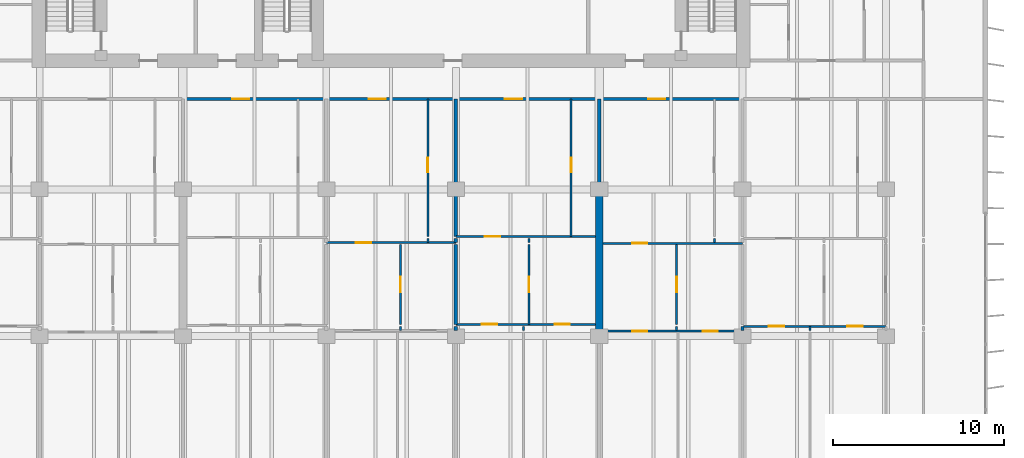
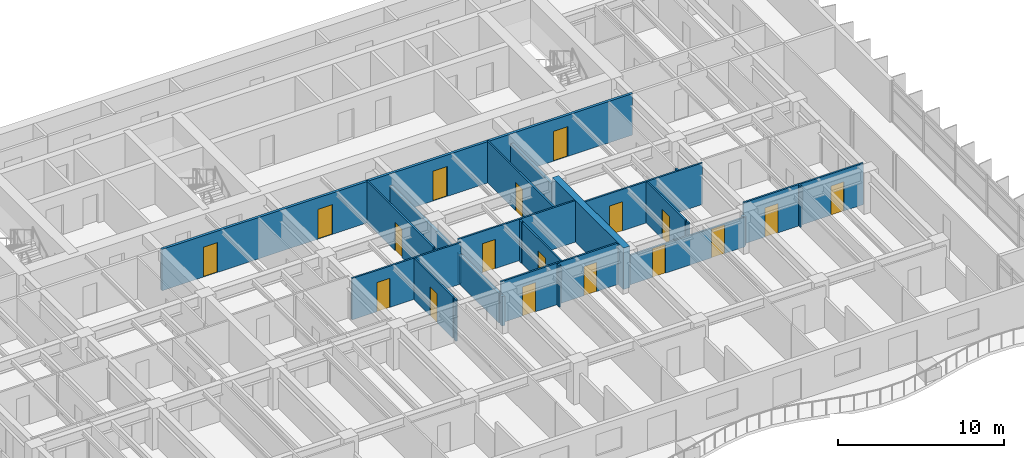
# One storey, part 9 of 18: 26 walls, 18 doors, 18 openings.
"""IFC4 building model written with IfcOpenShell, lengths in metres."""

from ifc_helpers import new_model, si_unit, direction, frame, frame_2d, origin, place, context, subcontext, project, spatial, rectangle, extrude, material, layer, layer_set, type_object, element, fill, save


model = new_model("IFC4")

# Units and contexts
model_context = context("Model", 3, precision=1e-05, world=origin(), true_north=direction((0.0, 1.0)))
body_context = subcontext(model_context, "Body", "Model", "MODEL_VIEW")
ifc_project = project(units=[si_unit("LENGTHUNIT", "METRE"), si_unit("AREAUNIT", "SQUARE_METRE"), si_unit("VOLUMEUNIT", "CUBIC_METRE"), si_unit("PLANEANGLEUNIT", "RADIAN"), si_unit("MASSUNIT", "GRAM", prefix="KILO")], contexts=[model_context])

# Site, building, storey
site_placement = place(None, origin())
site = spatial("IfcSite", under=ifc_project, at=site_placement, CompositionType="ELEMENT")
building_placement = place(site_placement, origin())
building = spatial("IfcBuilding", under=site, at=building_placement, Name="Caelmar Bay Residences", CompositionType="ELEMENT")
storey_placement = place(building_placement, frame((0.0, 0.0, 129.0)))
storey = spatial("IfcBuildingStorey", under=building, at=storey_placement, Name="L35", CompositionType="ELEMENT", Elevation=129.0)

# Wall
ifc_material_1 = material(Name="Concrete f'c 55 MPa (8,000 psi)", Category="concrete")
ifc_layer_1 = layer(ifc_material_1, 0.449951171875)
ifc_layer_set_1 = layer_set([ifc_layer_1], Name="Concrete f'c 55 MPa (8,000 psi)")
wall_type_1 = type_object("IfcWallType", Name="SW-XSLB-450", PredefinedType="SHEAR", material=ifc_layer_set_1)
wall_1_placement = place(storey_placement, frame((51.10009765625, 20.800048828125, 0.0), z_axis=(0.0, 0.0, 1.0), x_axis=(0.0, 1.0, 0.0)))
element("IfcWall", 1, at=wall_1_placement, inside=storey, type_object=wall_type_1, Name="L35 Transverse Cross-Slab Shear Wall E8", PredefinedType="SHEAR", context=body_context, shape_type="SweptSolid", body=[
    extrude(rectangle(XDim=8.599853515625, YDim=0.449951171875, at=frame_2d((4.2998046875, 0.0))), origin(), (0.0, 0.0, 1.0), 3.050048828125),
])

# Wall, openings, doors
ifc_material_2 = material(Name="Double-stud acoustic fire-rated gypsum partition 180 mm")
ifc_layer_2 = layer(ifc_material_2, 0.179931640625)
ifc_layer_set_2 = layer_set([ifc_layer_2], Name="Double-stud acoustic fire-rated gypsum partition 180 mm")
wall_type_2 = type_object("IfcWallType", Name="W-COR-200", PredefinedType="PARTITIONING", material=ifc_layer_set_2)
wall_2_placement = place(storey_placement, frame((26.699951171875, 34.699951171875, 0.0), z_axis=(0.0, 0.0, 1.0), x_axis=(1.0, 0.0, 0.0)))
wall_2 = element("IfcWall", 2, at=wall_2_placement, inside=storey, type_object=wall_type_2, Name="L35 Partition Wall H144", PredefinedType="PARTITIONING", context=body_context, shape_type="SweptSolid", body=[
    extrude(rectangle(XDim=32.800048828125, YDim=0.179931640625, at=frame_2d((16.39990234375, 0.0))), origin(), (0.0, 0.0, 1.0), 3.050048828125),
])
opening_1_placement = place(wall_2_placement, frame((2.875, 0.0, 0.0)))
opening_1 = element("IfcOpeningElement", 3, at=opening_1_placement, cuts=wall_2, Name="Opening D-L35-138", PredefinedType="OPENING", context=body_context, shape_type="SweptSolid", body=[
    extrude(rectangle(XDim=1.0, YDim=2.199951171875, at=frame_2d((0.5, 1.10009765625))), frame((0.0, 0.099853515625, 0.0), z_axis=(0.0, -1.0, 0.0), x_axis=(1.0, 0.0, 0.0)), (0.0, 0.0, 1.0), 0.199951171875),
])
opening_2_placement = place(wall_2_placement, frame((10.875, 0.0, 0.0)))
opening_2 = element("IfcOpeningElement", 4, at=opening_2_placement, cuts=wall_2, Name="Opening D-L35-145", PredefinedType="OPENING", context=body_context, shape_type="SweptSolid", body=[
    extrude(rectangle(XDim=1.0, YDim=2.199951171875, at=frame_2d((0.5, 1.10009765625))), frame((0.0, 0.099853515625, 0.0), z_axis=(0.0, -1.0, 0.0), x_axis=(1.0, 0.0, 0.0)), (0.0, 0.0, 1.0), 0.199951171875),
])
opening_3_placement = place(wall_2_placement, frame((18.875, 0.0, 0.0)))
opening_3 = element("IfcOpeningElement", 5, at=opening_3_placement, cuts=wall_2, Name="Opening D-L35-151", PredefinedType="OPENING", context=body_context, shape_type="SweptSolid", body=[
    extrude(rectangle(XDim=1.0, YDim=2.199951171875, at=frame_2d((0.5, 1.10009765625))), frame((0.0, 0.099853515625, 0.0), z_axis=(0.0, -1.0, 0.0), x_axis=(1.0, 0.0, 0.0)), (0.0, 0.0, 1.0), 0.199951171875),
])
opening_4_placement = place(wall_2_placement, frame((27.27490234375, 0.0, 0.0)))
opening_4 = element("IfcOpeningElement", 6, at=opening_4_placement, cuts=wall_2, Name="Opening D-L35-158", PredefinedType="OPENING", context=body_context, shape_type="SweptSolid", body=[
    extrude(rectangle(XDim=1.0, YDim=2.199951171875, at=frame_2d((0.5, 1.10009765625))), frame((0.0, 0.099853515625, 0.0), z_axis=(0.0, -1.0, 0.0), x_axis=(1.0, 0.0, 0.0)), (0.0, 0.0, 1.0), 0.199951171875),
])
ifc_material_3 = material(Name="Fire-rated steel and walnut architectural door assembly", Category="steel")
ifc_layer_3 = layer(ifc_material_3, 0.050048828125)
ifc_layer_set_3 = layer_set([ifc_layer_3], Name="Fire-rated steel and walnut architectural door assembly")
door_type_1 = type_object("IfcDoorType", Name="D-UNIT-1000", OperationType="NOTDEFINED", PredefinedType="DOOR", material=ifc_layer_set_3)
door_1_placement = place(opening_1_placement, origin())
door_1 = element("IfcDoor", 7, at=door_1_placement, inside=storey, type_object=door_type_1, Name="L35 Residence 03 Apartment Hall Door", OperationType="SINGLE_SWING_LEFT", OverallHeight=2.199951171875, OverallWidth=1.0, PredefinedType="DOOR", context=body_context, shape_type="SweptSolid", body=[
    extrude(rectangle(XDim=1.0, YDim=2.199951171875, at=frame_2d((0.5, 1.10009765625))), frame((0.0, 0.02490234375, 0.0), z_axis=(0.0, -1.0, 0.0), x_axis=(1.0, 0.0, 0.0)), (0.0, 0.0, 1.0), 0.050048828125),
])
fill(opening_1, door_1)
door_2_placement = place(opening_2_placement, origin())
door_2 = element("IfcDoor", 8, at=door_2_placement, inside=storey, type_object=door_type_1, Name="L35 Residence 04 Apartment Hall Door", OperationType="SINGLE_SWING_RIGHT", OverallHeight=2.199951171875, OverallWidth=1.0, PredefinedType="DOOR", context=body_context, shape_type="SweptSolid", body=[
    extrude(rectangle(XDim=1.0, YDim=2.199951171875, at=frame_2d((0.5, 1.10009765625))), frame((0.0, 0.02490234375, 0.0), z_axis=(0.0, -1.0, 0.0), x_axis=(1.0, 0.0, 0.0)), (0.0, 0.0, 1.0), 0.050048828125),
])
fill(opening_2, door_2)
door_3_placement = place(opening_3_placement, origin())
door_3 = element("IfcDoor", 9, at=door_3_placement, inside=storey, type_object=door_type_1, Name="L35 Residence 05 Apartment Hall Door", OperationType="SINGLE_SWING_RIGHT", OverallHeight=2.199951171875, OverallWidth=1.0, PredefinedType="DOOR", context=body_context, shape_type="SweptSolid", body=[
    extrude(rectangle(XDim=1.0, YDim=2.199951171875, at=frame_2d((0.5, 1.10009765625))), frame((0.0, 0.02490234375, 0.0), z_axis=(0.0, -1.0, 0.0), x_axis=(1.0, 0.0, 0.0)), (0.0, 0.0, 1.0), 0.050048828125),
])
fill(opening_3, door_3)
door_4_placement = place(opening_4_placement, origin())
door_4 = element("IfcDoor", 10, at=door_4_placement, inside=storey, type_object=door_type_1, Name="L35 Residence 06 Apartment Hall Door", OperationType="SINGLE_SWING_LEFT", OverallHeight=2.199951171875, OverallWidth=1.0, PredefinedType="DOOR", context=body_context, shape_type="SweptSolid", body=[
    extrude(rectangle(XDim=1.0, YDim=2.199951171875, at=frame_2d((0.5, 1.10009765625))), frame((0.0, 0.02490234375, 0.0), z_axis=(0.0, -1.0, 0.0), x_axis=(1.0, 0.0, 0.0)), (0.0, 0.0, 1.0), 0.050048828125),
])
fill(opening_4, door_4)

# Wall
ifc_material_4 = material(Name="Acoustic metal-stud gypsum partition 120 mm")
ifc_layer_4 = layer(ifc_material_4, 0.1201171875)
ifc_layer_set_4 = layer_set([ifc_layer_4], Name="Acoustic metal-stud gypsum partition 120 mm")
wall_type_3 = type_object("IfcWallType", Name="W-PRT-120", PredefinedType="PARTITIONING", material=ifc_layer_set_4)
wall_3_placement = place(storey_placement, frame((39.4541015625, 21.1298828125, 0.0), z_axis=(0.0, 0.0, 1.0), x_axis=(0.0, 1.0, 0.0)))
element("IfcWall", 11, at=wall_3_placement, inside=storey, type_object=wall_type_3, Name="L35 Partition Wall V059", PredefinedType="PARTITIONING", context=body_context, shape_type="SweptSolid", body=[
    extrude(rectangle(XDim=0.240234375, YDim=0.1201171875, at=frame_2d((0.1201171875, 0.0))), origin(), (0.0, 0.0, 1.0), 3.050048828125),
])

# Wall, opening, door
wall_4_placement = place(storey_placement, frame((39.4541015625, 21.489990234375, 0.0), z_axis=(0.0, 0.0, 1.0), x_axis=(0.0, 1.0, 0.0)))
wall_4 = element("IfcWall", 12, at=wall_4_placement, inside=storey, type_object=wall_type_3, Name="L35 Partition Wall V060", PredefinedType="PARTITIONING", context=body_context, shape_type="SweptSolid", body=[
    extrude(rectangle(XDim=4.68994140625, YDim=0.1201171875, at=frame_2d((2.344970703125, 0.0))), origin(), (0.0, 0.0, 1.0), 3.050048828125),
])
opening_5_placement = place(wall_4_placement, frame((1.89501953125, 0.0, 0.0)))
opening_5 = element("IfcOpeningElement", 13, at=opening_5_placement, cuts=wall_4, Name="Opening D-L35-148", PredefinedType="OPENING", context=body_context, shape_type="SweptSolid", body=[
    extrude(rectangle(XDim=0.89990234375, YDim=2.14990234375, at=frame_2d((0.449951171875, 1.074951171875))), frame((0.0, 0.070068359375, 0.0), z_axis=(0.0, -1.0, 0.0), x_axis=(1.0, 0.0, 0.0)), (0.0, 0.0, 1.0), 0.14013671875),
])
ifc_material_5 = material(Name="Solid walnut timber interior door leaf and frame", Category="wood")
ifc_layer_5 = layer(ifc_material_5, 0.050048828125)
ifc_layer_set_5 = layer_set([ifc_layer_5], Name="Solid walnut timber interior door leaf and frame")
door_type_2 = type_object("IfcDoorType", Name="D-ROOM-900", OperationType="NOTDEFINED", PredefinedType="DOOR", material=ifc_layer_set_5)
door_5_placement = place(opening_5_placement, origin())
door_5 = element("IfcDoor", 14, at=door_5_placement, inside=storey, type_object=door_type_2, Name="L35 Residence 04 Study Door", OperationType="SINGLE_SWING_LEFT", OverallHeight=2.14990234375, OverallWidth=0.89990234375, PredefinedType="DOOR", context=body_context, shape_type="SweptSolid", body=[
    extrude(rectangle(XDim=0.89990234375, YDim=2.14990234375, at=frame_2d((0.449951171875, 1.074951171875))), frame((0.0, 0.02490234375, 0.0), z_axis=(0.0, -1.0, 0.0), x_axis=(1.0, 0.0, 0.0)), (0.0, 0.0, 1.0), 0.050048828125),
])
fill(opening_5, door_5)

# Wall
wall_5_placement = place(storey_placement, frame((41.050048828125, 26.280029296875, 0.0), z_axis=(0.0, 0.0, 1.0), x_axis=(0.0, 1.0, 0.0)))
element("IfcWall", 15, at=wall_5_placement, inside=storey, type_object=wall_type_3, Name="L35 Partition Wall V061", PredefinedType="PARTITIONING", context=body_context, shape_type="SweptSolid", body=[
    extrude(rectangle(XDim=0.239990234375, YDim=0.1201171875, at=frame_2d((0.1201171875, 0.0))), origin(), (0.0, 0.0, 1.0), 3.050048828125),
])

# Wall, opening, door
wall_6_placement = place(storey_placement, frame((41.050048828125, 26.639892578125, 0.0), z_axis=(0.0, 0.0, 1.0), x_axis=(0.0, 1.0, 0.0)))
wall_6 = element("IfcWall", 16, at=wall_6_placement, inside=storey, type_object=wall_type_3, Name="L35 Partition Wall V062", PredefinedType="PARTITIONING", context=body_context, shape_type="SweptSolid", body=[
    extrude(rectangle(XDim=8.06005859375, YDim=0.1201171875, at=frame_2d((4.030029296875, 0.0))), origin(), (0.0, 0.0, 1.0), 3.050048828125),
])
opening_6_placement = place(wall_6_placement, frame((3.7548828125, 0.0, 0.0)))
opening_6 = element("IfcOpeningElement", 17, at=opening_6_placement, cuts=wall_6, Name="Opening D-L35-146", PredefinedType="OPENING", context=body_context, shape_type="SweptSolid", body=[
    extrude(rectangle(XDim=0.85009765625, YDim=2.10009765625, at=frame_2d((0.425048828125, 1.050048828125))), frame((0.0, 0.070068359375, 0.0), z_axis=(0.0, -1.0, 0.0), x_axis=(1.0, 0.0, 0.0)), (0.0, 0.0, 1.0), 0.14013671875),
])
ifc_layer_6 = layer(ifc_material_5, 0.050048828125)
ifc_layer_set_6 = layer_set([ifc_layer_6], Name="Solid walnut timber interior door leaf and frame")
door_type_3 = type_object("IfcDoorType", Name="D-BATH-850", OperationType="NOTDEFINED", PredefinedType="DOOR", material=ifc_layer_set_6)
door_6_placement = place(opening_6_placement, origin())
door_6 = element("IfcDoor", 18, at=door_6_placement, inside=storey, type_object=door_type_3, Name="L35 Residence 04 Bathroom Door", OperationType="SINGLE_SWING_LEFT", OverallHeight=2.10009765625, OverallWidth=0.85009765625, PredefinedType="DOOR", context=body_context, shape_type="SweptSolid", body=[
    extrude(rectangle(XDim=0.85009765625, YDim=2.10009765625, at=frame_2d((0.425048828125, 1.050048828125))), frame((0.0, 0.02490234375, 0.0), z_axis=(0.0, -1.0, 0.0), x_axis=(1.0, 0.0, 0.0)), (0.0, 0.0, 1.0), 0.050048828125),
])
fill(opening_6, door_6)

# Wall
wall_7_placement = place(storey_placement, frame((46.64794921875, 21.1298828125, 0.0), z_axis=(0.0, 0.0, 1.0), x_axis=(0.0, 1.0, 0.0)))
element("IfcWall", 19, at=wall_7_placement, inside=storey, type_object=wall_type_3, Name="L35 Partition Wall V074", PredefinedType="PARTITIONING", context=body_context, shape_type="SweptSolid", body=[
    extrude(rectangle(XDim=0.240234375, YDim=0.1201171875, at=frame_2d((0.1201171875, 0.0))), origin(), (0.0, 0.0, 1.0), 3.050048828125),
])

# Wall, opening, door
wall_8_placement = place(storey_placement, frame((46.986083984375, 21.489990234375, 0.0), z_axis=(0.0, 0.0, 1.0), x_axis=(0.0, 1.0, 0.0)))
wall_8 = element("IfcWall", 20, at=wall_8_placement, inside=storey, type_object=wall_type_3, Name="L35 Partition Wall V075", PredefinedType="PARTITIONING", context=body_context, shape_type="SweptSolid", body=[
    extrude(rectangle(XDim=4.68994140625, YDim=0.1201171875, at=frame_2d((2.344970703125, 0.0))), origin(), (0.0, 0.0, 1.0), 3.050048828125),
])
opening_7_placement = place(wall_8_placement, frame((1.89501953125, 0.0, 0.0)))
opening_7 = element("IfcOpeningElement", 21, at=opening_7_placement, cuts=wall_8, Name="Opening D-L35-154", PredefinedType="OPENING", context=body_context, shape_type="SweptSolid", body=[
    extrude(rectangle(XDim=0.89990234375, YDim=2.14990234375, at=frame_2d((0.449951171875, 1.074951171875))), frame((0.0, 0.070068359375, 0.0), z_axis=(0.0, -1.0, 0.0), x_axis=(1.0, 0.0, 0.0)), (0.0, 0.0, 1.0), 0.14013671875),
])
door_7_placement = place(opening_7_placement, origin())
door_7 = element("IfcDoor", 22, at=door_7_placement, inside=storey, type_object=door_type_2, Name="L35 Residence 05 Study Door", OperationType="SINGLE_SWING_LEFT", OverallHeight=2.14990234375, OverallWidth=0.89990234375, PredefinedType="DOOR", context=body_context, shape_type="SweptSolid", body=[
    extrude(rectangle(XDim=0.89990234375, YDim=2.14990234375, at=frame_2d((0.449951171875, 1.074951171875))), frame((0.0, 0.02490234375, 0.0), z_axis=(0.0, -1.0, 0.0), x_axis=(1.0, 0.0, 0.0)), (0.0, 0.0, 1.0), 0.050048828125),
])
fill(opening_7, door_7)

# Wall
wall_9_placement = place(storey_placement, frame((46.986083984375, 26.280029296875, 0.0), z_axis=(0.0, 0.0, 1.0), x_axis=(0.0, 1.0, 0.0)))
element("IfcWall", 23, at=wall_9_placement, inside=storey, type_object=wall_type_3, Name="L35 Partition Wall V076", PredefinedType="PARTITIONING", context=body_context, shape_type="SweptSolid", body=[
    extrude(rectangle(XDim=0.239990234375, YDim=0.1201171875, at=frame_2d((0.1201171875, 0.0))), origin(), (0.0, 0.0, 1.0), 3.050048828125),
])

# Wall, opening, door
wall_10_placement = place(storey_placement, frame((49.449951171875, 26.639892578125, 0.0), z_axis=(0.0, 0.0, 1.0), x_axis=(0.0, 1.0, 0.0)))
wall_10 = element("IfcWall", 24, at=wall_10_placement, inside=storey, type_object=wall_type_3, Name="L35 Partition Wall V078", PredefinedType="PARTITIONING", context=body_context, shape_type="SweptSolid", body=[
    extrude(rectangle(XDim=8.06005859375, YDim=0.1201171875, at=frame_2d((4.030029296875, 0.0))), origin(), (0.0, 0.0, 1.0), 3.050048828125),
])
opening_8_placement = place(wall_10_placement, frame((3.7548828125, 0.0, 0.0)))
opening_8 = element("IfcOpeningElement", 25, at=opening_8_placement, cuts=wall_10, Name="Opening D-L35-152", PredefinedType="OPENING", context=body_context, shape_type="SweptSolid", body=[
    extrude(rectangle(XDim=0.85009765625, YDim=2.10009765625, at=frame_2d((0.425048828125, 1.050048828125))), frame((0.0, 0.070068359375, 0.0), z_axis=(0.0, -1.0, 0.0), x_axis=(1.0, 0.0, 0.0)), (0.0, 0.0, 1.0), 0.14013671875),
])
door_8_placement = place(opening_8_placement, origin())
door_8 = element("IfcDoor", 26, at=door_8_placement, inside=storey, type_object=door_type_3, Name="L35 Residence 05 Bathroom Door", OperationType="SINGLE_SWING_LEFT", OverallHeight=2.10009765625, OverallWidth=0.85009765625, PredefinedType="DOOR", context=body_context, shape_type="SweptSolid", body=[
    extrude(rectangle(XDim=0.85009765625, YDim=2.10009765625, at=frame_2d((0.425048828125, 1.050048828125))), frame((0.0, 0.02490234375, 0.0), z_axis=(0.0, -1.0, 0.0), x_axis=(1.0, 0.0, 0.0)), (0.0, 0.0, 1.0), 0.050048828125),
])
fill(opening_8, door_8)

# Wall
wall_11_placement = place(storey_placement, frame((55.635986328125, 21.1298828125, 0.0), z_axis=(0.0, 0.0, 1.0), x_axis=(0.0, 1.0, 0.0)))
element("IfcWall", 27, at=wall_11_placement, inside=storey, type_object=wall_type_3, Name="L35 Partition Wall V086", PredefinedType="PARTITIONING", context=body_context, shape_type="SweptSolid", body=[
    extrude(rectangle(XDim=0.240234375, YDim=0.1201171875, at=frame_2d((0.1201171875, 0.0))), origin(), (0.0, 0.0, 1.0), 3.050048828125),
])

# Wall, opening, door
wall_12_placement = place(storey_placement, frame((55.635986328125, 21.489990234375, 0.0), z_axis=(0.0, 0.0, 1.0), x_axis=(0.0, 1.0, 0.0)))
wall_12 = element("IfcWall", 28, at=wall_12_placement, inside=storey, type_object=wall_type_3, Name="L35 Partition Wall V087", PredefinedType="PARTITIONING", context=body_context, shape_type="SweptSolid", body=[
    extrude(rectangle(XDim=4.68994140625, YDim=0.1201171875, at=frame_2d((2.344970703125, 0.0))), origin(), (0.0, 0.0, 1.0), 3.050048828125),
])
opening_9_placement = place(wall_12_placement, frame((1.89501953125, 0.0, 0.0)))
opening_9 = element("IfcOpeningElement", 29, at=opening_9_placement, cuts=wall_12, Name="Opening D-L35-161", PredefinedType="OPENING", context=body_context, shape_type="SweptSolid", body=[
    extrude(rectangle(XDim=0.89990234375, YDim=2.14990234375, at=frame_2d((0.449951171875, 1.074951171875))), frame((0.0, 0.070068359375, 0.0), z_axis=(0.0, -1.0, 0.0), x_axis=(1.0, 0.0, 0.0)), (0.0, 0.0, 1.0), 0.14013671875),
])
door_9_placement = place(opening_9_placement, origin())
door_9 = element("IfcDoor", 30, at=door_9_placement, inside=storey, type_object=door_type_2, Name="L35 Residence 06 Study Door", OperationType="SINGLE_SWING_RIGHT", OverallHeight=2.14990234375, OverallWidth=0.89990234375, PredefinedType="DOOR", context=body_context, shape_type="SweptSolid", body=[
    extrude(rectangle(XDim=0.89990234375, YDim=2.14990234375, at=frame_2d((0.449951171875, 1.074951171875))), frame((0.0, 0.02490234375, 0.0), z_axis=(0.0, -1.0, 0.0), x_axis=(1.0, 0.0, 0.0)), (0.0, 0.0, 1.0), 0.050048828125),
])
fill(opening_9, door_9)

# Walls
wall_13_placement = place(storey_placement, frame((57.85009765625, 26.280029296875, 0.0), z_axis=(0.0, 0.0, 1.0), x_axis=(0.0, 1.0, 0.0)))
element("IfcWall", 31, at=wall_13_placement, inside=storey, type_object=wall_type_3, Name="L35 Partition Wall V091", PredefinedType="PARTITIONING", context=body_context, shape_type="SweptSolid", body=[
    extrude(rectangle(XDim=0.239990234375, YDim=0.1201171875, at=frame_2d((0.1201171875, 0.0))), origin(), (0.0, 0.0, 1.0), 3.050048828125),
])
wall_14_placement = place(storey_placement, frame((63.447998046875, 21.1298828125, 0.0), z_axis=(0.0, 0.0, 1.0), x_axis=(0.0, 1.0, 0.0)))
element("IfcWall", 32, at=wall_14_placement, inside=storey, type_object=wall_type_3, Name="L35 Partition Wall V102", PredefinedType="PARTITIONING", context=body_context, shape_type="SweptSolid", body=[
    extrude(rectangle(XDim=0.240234375, YDim=0.1201171875, at=frame_2d((0.1201171875, 0.0))), origin(), (0.0, 0.0, 1.0), 3.050048828125),
])

# Wall, openings, doors
wall_15_placement = place(storey_placement, frame((51.320068359375, 21.090087890625, 0.0), z_axis=(0.0, 0.0, 1.0), x_axis=(1.0, 0.0, 0.0)))
wall_15 = element("IfcWall", 33, at=wall_15_placement, inside=storey, type_object=wall_type_3, Name="L35 Partition Wall H128", PredefinedType="PARTITIONING", context=body_context, shape_type="SweptSolid", body=[
    extrude(rectangle(XDim=8.179931640625, YDim=0.1201171875, at=frame_2d((4.08984375, 0.0))), origin(), (0.0, 0.0, 1.0), 2.174072265625),
])
opening_10_placement = place(wall_15_placement, frame((1.7080078125, 0.0, 0.0)))
opening_10 = element("IfcOpeningElement", 34, at=opening_10_placement, cuts=wall_15, Name="Opening D-L35-162", PredefinedType="OPENING", context=body_context, shape_type="SweptSolid", body=[
    extrude(rectangle(XDim=0.89990234375, YDim=2.1240234375, at=frame_2d((0.449951171875, 1.06201171875))), frame((0.0, 0.070068359375, 0.0), z_axis=(0.0, -1.0, 0.0), x_axis=(1.0, 0.0, 0.0)), (0.0, 0.0, 1.0), 0.14013671875),
])
opening_11_placement = place(wall_15_placement, frame((5.840087890625, 0.0, 0.0)))
opening_11 = element("IfcOpeningElement", 35, at=opening_11_placement, cuts=wall_15, Name="Opening D-L35-163", PredefinedType="OPENING", context=body_context, shape_type="SweptSolid", body=[
    extrude(rectangle(XDim=0.89990234375, YDim=2.1240234375, at=frame_2d((0.449951171875, 1.06201171875))), frame((0.0, 0.070068359375, 0.0), z_axis=(0.0, -1.0, 0.0), x_axis=(1.0, 0.0, 0.0)), (0.0, 0.0, 1.0), 0.14013671875),
])
door_10_placement = place(opening_10_placement, origin())
door_10 = element("IfcDoor", 36, at=door_10_placement, inside=storey, type_object=door_type_2, Name="L35 Residence 06 Living Room Door", OperationType="SINGLE_SWING_LEFT", OverallHeight=2.1240234375, OverallWidth=0.89990234375, PredefinedType="DOOR", context=body_context, shape_type="SweptSolid", body=[
    extrude(rectangle(XDim=0.89990234375, YDim=2.1240234375, at=frame_2d((0.449951171875, 1.06201171875))), frame((0.0, 0.02490234375, 0.0), z_axis=(0.0, -1.0, 0.0), x_axis=(1.0, 0.0, 0.0)), (0.0, 0.0, 1.0), 0.050048828125),
])
fill(opening_10, door_10)
door_11_placement = place(opening_11_placement, origin())
door_11 = element("IfcDoor", 37, at=door_11_placement, inside=storey, type_object=door_type_2, Name="L35 Residence 06 Bedroom 2 Door", OperationType="SINGLE_SWING_RIGHT", OverallHeight=2.1240234375, OverallWidth=0.89990234375, PredefinedType="DOOR", context=body_context, shape_type="SweptSolid", body=[
    extrude(rectangle(XDim=0.89990234375, YDim=2.1240234375, at=frame_2d((0.449951171875, 1.06201171875))), frame((0.0, 0.02490234375, 0.0), z_axis=(0.0, -1.0, 0.0), x_axis=(1.0, 0.0, 0.0)), (0.0, 0.0, 1.0), 0.050048828125),
])
fill(opening_11, door_11)

wall_16_placement = place(storey_placement, frame((59.550048828125, 21.3701171875, 0.0), z_axis=(0.0, 0.0, 1.0), x_axis=(1.0, 0.0, 0.0)))
wall_16 = element("IfcWall", 38, at=wall_16_placement, inside=storey, type_object=wall_type_3, Name="L35 Partition Wall H131", PredefinedType="PARTITIONING", context=body_context, shape_type="SweptSolid", body=[
    extrude(rectangle(XDim=8.349853515625, YDim=0.1201171875, at=frame_2d((4.1748046875, 0.0))), origin(), (0.0, 0.0, 1.0), 3.050048828125),
])
opening_12_placement = place(wall_16_placement, frame((1.4990234375, 0.0, 0.0)))
opening_12 = element("IfcOpeningElement", 39, at=opening_12_placement, cuts=wall_16, Name="Opening D-L35-169", PredefinedType="OPENING", context=body_context, shape_type="SweptSolid", body=[
    extrude(rectangle(XDim=0.89990234375, YDim=2.14990234375, at=frame_2d((0.449951171875, 1.074951171875))), frame((0.0, 0.070068359375, 0.0), z_axis=(0.0, -1.0, 0.0), x_axis=(1.0, 0.0, 0.0)), (0.0, 0.0, 1.0), 0.14013671875),
])
opening_13_placement = place(wall_16_placement, frame((6.093017578125, 0.0, 0.0)))
opening_13 = element("IfcOpeningElement", 40, at=opening_13_placement, cuts=wall_16, Name="Opening D-L35-170", PredefinedType="OPENING", context=body_context, shape_type="SweptSolid", body=[
    extrude(rectangle(XDim=0.89990234375, YDim=2.14990234375, at=frame_2d((0.449951171875, 1.074951171875))), frame((0.0, 0.070068359375, 0.0), z_axis=(0.0, -1.0, 0.0), x_axis=(1.0, 0.0, 0.0)), (0.0, 0.0, 1.0), 0.14013671875),
])
door_12_placement = place(opening_12_placement, origin())
door_12 = element("IfcDoor", 41, at=door_12_placement, inside=storey, type_object=door_type_2, Name="L35 Residence 07 Living Room Door", OperationType="SINGLE_SWING_RIGHT", OverallHeight=2.14990234375, OverallWidth=0.89990234375, PredefinedType="DOOR", context=body_context, shape_type="SweptSolid", body=[
    extrude(rectangle(XDim=0.89990234375, YDim=2.14990234375, at=frame_2d((0.449951171875, 1.074951171875))), frame((0.0, 0.02490234375, 0.0), z_axis=(0.0, -1.0, 0.0), x_axis=(1.0, 0.0, 0.0)), (0.0, 0.0, 1.0), 0.050048828125),
])
fill(opening_12, door_12)
door_13_placement = place(opening_13_placement, origin())
door_13 = element("IfcDoor", 42, at=door_13_placement, inside=storey, type_object=door_type_2, Name="L35 Residence 07 Penthouse Sitting Room Door", OperationType="SINGLE_SWING_LEFT", OverallHeight=2.14990234375, OverallWidth=0.89990234375, PredefinedType="DOOR", context=body_context, shape_type="SweptSolid", body=[
    extrude(rectangle(XDim=0.89990234375, YDim=2.14990234375, at=frame_2d((0.449951171875, 1.074951171875))), frame((0.0, 0.02490234375, 0.0), z_axis=(0.0, -1.0, 0.0), x_axis=(1.0, 0.0, 0.0)), (0.0, 0.0, 1.0), 0.050048828125),
])
fill(opening_13, door_13)

wall_17_placement = place(storey_placement, frame((42.699951171875, 21.489990234375, 0.0), z_axis=(0.0, 0.0, 1.0), x_axis=(1.0, 0.0, 0.0)))
wall_17 = element("IfcWall", 43, at=wall_17_placement, inside=storey, type_object=wall_type_3, Name="L35 Partition Wall H133", PredefinedType="PARTITIONING", context=body_context, shape_type="SweptSolid", body=[
    extrude(rectangle(XDim=8.179931640625, YDim=0.1201171875, at=frame_2d((4.08984375, 0.0))), origin(), (0.0, 0.0, 1.0), 3.050048828125),
])
opening_14_placement = place(wall_17_placement, frame((1.52392578125, 0.0, 0.0)))
opening_14 = element("IfcOpeningElement", 44, at=opening_14_placement, cuts=wall_17, Name="Opening D-L35-155", PredefinedType="OPENING", context=body_context, shape_type="SweptSolid", body=[
    extrude(rectangle(XDim=0.89990234375, YDim=2.14990234375, at=frame_2d((0.449951171875, 1.074951171875))), frame((0.0, 0.070068359375, 0.0), z_axis=(0.0, -1.0, 0.0), x_axis=(1.0, 0.0, 0.0)), (0.0, 0.0, 1.0), 0.14013671875),
])
opening_15_placement = place(wall_17_placement, frame((5.782958984375, 0.0, 0.0)))
opening_15 = element("IfcOpeningElement", 45, at=opening_15_placement, cuts=wall_17, Name="Opening D-L35-156", PredefinedType="OPENING", context=body_context, shape_type="SweptSolid", body=[
    extrude(rectangle(XDim=0.89990234375, YDim=2.14990234375, at=frame_2d((0.449951171875, 1.074951171875))), frame((0.0, 0.070068359375, 0.0), z_axis=(0.0, -1.0, 0.0), x_axis=(1.0, 0.0, 0.0)), (0.0, 0.0, 1.0), 0.14013671875),
])
door_14_placement = place(opening_14_placement, origin())
door_14 = element("IfcDoor", 46, at=door_14_placement, inside=storey, type_object=door_type_2, Name="L35 Residence 05 Living Room Door", OperationType="SINGLE_SWING_RIGHT", OverallHeight=2.14990234375, OverallWidth=0.89990234375, PredefinedType="DOOR", context=body_context, shape_type="SweptSolid", body=[
    extrude(rectangle(XDim=0.89990234375, YDim=2.14990234375, at=frame_2d((0.449951171875, 1.074951171875))), frame((0.0, 0.02490234375, 0.0), z_axis=(0.0, -1.0, 0.0), x_axis=(1.0, 0.0, 0.0)), (0.0, 0.0, 1.0), 0.050048828125),
])
fill(opening_14, door_14)
door_15_placement = place(opening_15_placement, origin())
door_15 = element("IfcDoor", 47, at=door_15_placement, inside=storey, type_object=door_type_2, Name="L35 Residence 05 Penthouse Sitting Room Door", OperationType="SINGLE_SWING_LEFT", OverallHeight=2.14990234375, OverallWidth=0.89990234375, PredefinedType="DOOR", context=body_context, shape_type="SweptSolid", body=[
    extrude(rectangle(XDim=0.89990234375, YDim=2.14990234375, at=frame_2d((0.449951171875, 1.074951171875))), frame((0.0, 0.02490234375, 0.0), z_axis=(0.0, -1.0, 0.0), x_axis=(1.0, 0.0, 0.0)), (0.0, 0.0, 1.0), 0.050048828125),
])
fill(opening_15, door_15)

# Wall, opening, door
wall_18_placement = place(storey_placement, frame((51.320068359375, 26.239990234375, 0.0), z_axis=(0.0, 0.0, 1.0), x_axis=(1.0, 0.0, 0.0)))
wall_18 = element("IfcWall", 48, at=wall_18_placement, inside=storey, type_object=wall_type_3, Name="L35 Partition Wall H135", PredefinedType="PARTITIONING", context=body_context, shape_type="SweptSolid", body=[
    extrude(rectangle(XDim=8.179931640625, YDim=0.1201171875, at=frame_2d((4.08984375, 0.0))), origin(), (0.0, 0.0, 1.0), 3.050048828125),
])
opening_16_placement = place(wall_18_placement, frame((1.7080078125, 0.0, 0.0)))
opening_16 = element("IfcOpeningElement", 49, at=opening_16_placement, cuts=wall_18, Name="Opening D-L35-160", PredefinedType="OPENING", context=body_context, shape_type="SweptSolid", body=[
    extrude(rectangle(XDim=0.89990234375, YDim=2.14990234375, at=frame_2d((0.449951171875, 1.074951171875))), frame((0.0, 0.070068359375, 0.0), z_axis=(0.0, -1.0, 0.0), x_axis=(1.0, 0.0, 0.0)), (0.0, 0.0, 1.0), 0.14013671875),
])
door_16_placement = place(opening_16_placement, origin())
door_16 = element("IfcDoor", 50, at=door_16_placement, inside=storey, type_object=door_type_2, Name="L35 Residence 06 Kitchen Door", OperationType="SINGLE_SWING_LEFT", OverallHeight=2.14990234375, OverallWidth=0.89990234375, PredefinedType="DOOR", context=body_context, shape_type="SweptSolid", body=[
    extrude(rectangle(XDim=0.89990234375, YDim=2.14990234375, at=frame_2d((0.449951171875, 1.074951171875))), frame((0.0, 0.02490234375, 0.0), z_axis=(0.0, -1.0, 0.0), x_axis=(1.0, 0.0, 0.0)), (0.0, 0.0, 1.0), 0.050048828125),
])
fill(opening_16, door_16)

wall_19_placement = place(storey_placement, frame((35.10009765625, 26.280029296875, 0.0), z_axis=(0.0, 0.0, 1.0), x_axis=(1.0, 0.0, 0.0)))
wall_19 = element("IfcWall", 51, at=wall_19_placement, inside=storey, type_object=wall_type_3, Name="L35 Partition Wall H136", PredefinedType="PARTITIONING", context=body_context, shape_type="SweptSolid", body=[
    extrude(rectangle(XDim=7.599853515625, YDim=0.1201171875, at=frame_2d((3.7998046875, 0.0))), origin(), (0.0, 0.0, 1.0), 3.050048828125),
])
opening_17_placement = place(wall_19_placement, frame((1.72705078125, 0.0, 0.0)))
opening_17 = element("IfcOpeningElement", 52, at=opening_17_placement, cuts=wall_19, Name="Opening D-L35-147", PredefinedType="OPENING", context=body_context, shape_type="SweptSolid", body=[
    extrude(rectangle(XDim=0.89990234375, YDim=2.14990234375, at=frame_2d((0.449951171875, 1.074951171875))), frame((0.0, 0.070068359375, 0.0), z_axis=(0.0, -1.0, 0.0), x_axis=(1.0, 0.0, 0.0)), (0.0, 0.0, 1.0), 0.14013671875),
])
door_17_placement = place(opening_17_placement, origin())
door_17 = element("IfcDoor", 53, at=door_17_placement, inside=storey, type_object=door_type_2, Name="L35 Residence 04 Kitchen Door", OperationType="SINGLE_SWING_RIGHT", OverallHeight=2.14990234375, OverallWidth=0.89990234375, PredefinedType="DOOR", context=body_context, shape_type="SweptSolid", body=[
    extrude(rectangle(XDim=0.89990234375, YDim=2.14990234375, at=frame_2d((0.449951171875, 1.074951171875))), frame((0.0, 0.02490234375, 0.0), z_axis=(0.0, -1.0, 0.0), x_axis=(1.0, 0.0, 0.0)), (0.0, 0.0, 1.0), 0.050048828125),
])
fill(opening_17, door_17)

wall_20_placement = place(storey_placement, frame((42.699951171875, 26.639892578125, 0.0), z_axis=(0.0, 0.0, 1.0), x_axis=(1.0, 0.0, 0.0)))
wall_20 = element("IfcWall", 54, at=wall_20_placement, inside=storey, type_object=wall_type_3, Name="L35 Partition Wall H140", PredefinedType="PARTITIONING", context=body_context, shape_type="SweptSolid", body=[
    extrude(rectangle(XDim=8.179931640625, YDim=0.1201171875, at=frame_2d((4.08984375, 0.0))), origin(), (0.0, 0.0, 1.0), 3.050048828125),
])
opening_18_placement = place(wall_20_placement, frame((1.693115234375, 0.0, 0.0)))
opening_18 = element("IfcOpeningElement", 55, at=opening_18_placement, cuts=wall_20, Name="Opening D-L35-153", PredefinedType="OPENING", context=body_context, shape_type="SweptSolid", body=[
    extrude(rectangle(XDim=0.89990234375, YDim=2.14990234375, at=frame_2d((0.449951171875, 1.074951171875))), frame((0.0, 0.070068359375, 0.0), z_axis=(0.0, -1.0, 0.0), x_axis=(1.0, 0.0, 0.0)), (0.0, 0.0, 1.0), 0.14013671875),
])
door_18_placement = place(opening_18_placement, origin())
door_18 = element("IfcDoor", 56, at=door_18_placement, inside=storey, type_object=door_type_2, Name="L35 Residence 05 Kitchen Door", OperationType="SINGLE_SWING_RIGHT", OverallHeight=2.14990234375, OverallWidth=0.89990234375, PredefinedType="DOOR", context=body_context, shape_type="SweptSolid", body=[
    extrude(rectangle(XDim=0.89990234375, YDim=2.14990234375, at=frame_2d((0.449951171875, 1.074951171875))), frame((0.0, 0.02490234375, 0.0), z_axis=(0.0, -1.0, 0.0), x_axis=(1.0, 0.0, 0.0)), (0.0, 0.0, 1.0), 0.050048828125),
])
fill(opening_18, door_18)

# Walls
ifc_material_6 = material(Name="Acoustic twin-stud fire-rated inter-tenancy partition 200 mm")
ifc_layer_7 = layer(ifc_material_6, 0.199951171875)
ifc_layer_set_7 = layer_set([ifc_layer_7], Name="Acoustic twin-stud fire-rated inter-tenancy partition 200 mm")
wall_type_4 = type_object("IfcWallType", Name="W-PTY-200", PredefinedType="PARTITIONING", material=ifc_layer_set_7)
wall_21_placement = place(storey_placement, frame((42.699951171875, 21.1298828125, 0.0), z_axis=(0.0, 0.0, 1.0), x_axis=(0.0, 1.0, 0.0)))
element("IfcWall", 57, at=wall_21_placement, inside=storey, type_object=wall_type_4, Name="L35 Partition Wall V065", PredefinedType="PARTITIONING", context=body_context, shape_type="SweptSolid", body=[
    extrude(rectangle(XDim=0.240234375, YDim=0.199951171875, at=frame_2d((0.1201171875, 0.0))), origin(), (0.0, 0.0, 1.0), 2.174072265625),
])
wall_22_placement = place(storey_placement, frame((42.699951171875, 21.489990234375, 0.0), z_axis=(0.0, 0.0, 1.0), x_axis=(0.0, 1.0, 0.0)))
element("IfcWall", 58, at=wall_22_placement, inside=storey, type_object=wall_type_4, Name="L35 Partition Wall V066", PredefinedType="PARTITIONING", context=body_context, shape_type="SweptSolid", body=[
    extrude(rectangle(XDim=4.68994140625, YDim=0.199951171875, at=frame_2d((2.344970703125, 0.0))), origin(), (0.0, 0.0, 1.0), 2.174072265625),
])
wall_23_placement = place(storey_placement, frame((42.699951171875, 26.280029296875, 0.0), z_axis=(0.0, 0.0, 1.0), x_axis=(0.0, 1.0, 0.0)))
element("IfcWall", 59, at=wall_23_placement, inside=storey, type_object=wall_type_4, Name="L35 Partition Wall V067", PredefinedType="PARTITIONING", context=body_context, shape_type="SweptSolid", body=[
    extrude(rectangle(XDim=0.239990234375, YDim=0.199951171875, at=frame_2d((0.1201171875, 0.0))), origin(), (0.0, 0.0, 1.0), 2.174072265625),
])
wall_24_placement = place(storey_placement, frame((42.699951171875, 26.639892578125, 0.0), z_axis=(0.0, 0.0, 1.0), x_axis=(0.0, 1.0, 0.0)))
element("IfcWall", 60, at=wall_24_placement, inside=storey, type_object=wall_type_4, Name="L35 Partition Wall V068", PredefinedType="PARTITIONING", context=body_context, shape_type="SweptSolid", body=[
    extrude(rectangle(XDim=8.06005859375, YDim=0.199951171875, at=frame_2d((4.030029296875, 0.0))), origin(), (0.0, 0.0, 1.0), 2.174072265625),
])
wall_25_placement = place(storey_placement, frame((51.10009765625, 29.405029296875, 0.0), z_axis=(0.0, 0.0, 1.0), x_axis=(0.0, 1.0, 0.0)))
element("IfcWall", 61, at=wall_25_placement, inside=storey, type_object=wall_type_4, Name="L35 Partition Wall V083", PredefinedType="PARTITIONING", context=body_context, shape_type="SweptSolid", body=[
    extrude(rectangle(XDim=5.294921875, YDim=0.199951171875, at=frame_2d((2.6474609375, 0.0))), origin(), (0.0, 0.0, 1.0), 2.3349609375),
])
wall_26_placement = place(storey_placement, frame((59.5, 21.1298828125, 0.0), z_axis=(0.0, 0.0, 1.0), x_axis=(0.0, 1.0, 0.0)))
element("IfcWall", 62, at=wall_26_placement, inside=storey, type_object=wall_type_4, Name="L35 Partition Wall V095", PredefinedType="PARTITIONING", context=body_context, shape_type="SweptSolid", body=[
    extrude(rectangle(XDim=0.240234375, YDim=0.199951171875, at=frame_2d((0.1201171875, 0.0))), origin(), (0.0, 0.0, 1.0), 2.174072265625),
])

save(model, "model.ifc")
